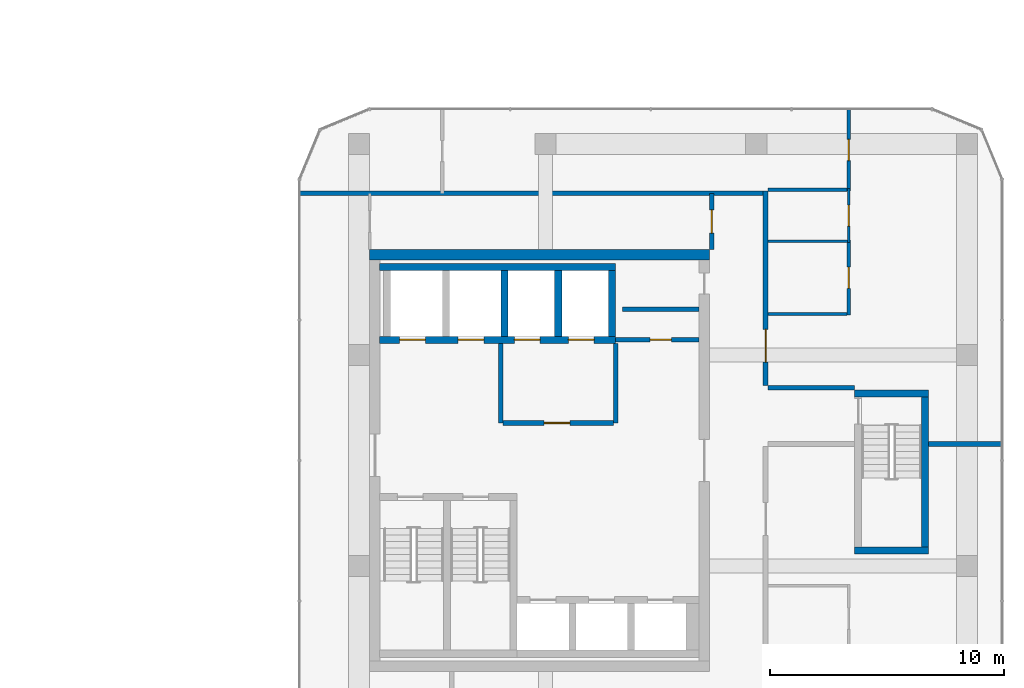
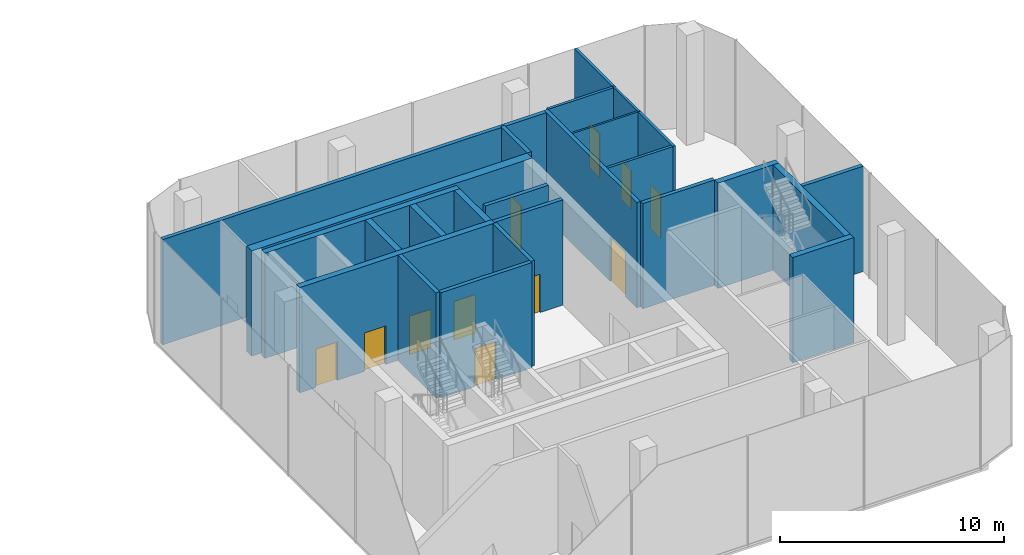
# One storey, part 18 of 24: 25 walls, 11 doors, 11 openings.
"""IFC4 building model written with IfcOpenShell, lengths in metres."""

from ifc_helpers import new_model, si_unit, direction, frame, frame_2d, origin, place, context, subcontext, project, spatial, rectangle, extrude, material, layer, layer_set, type_object, element, fill, save


model = new_model("IFC4")

# Units and contexts
model_context = context("Model", 3, precision=1e-05, world=origin(), true_north=direction((0.0, 1.0)))
body_context = subcontext(model_context, "Body", "Model", "MODEL_VIEW")
ifc_project = project(units=[si_unit("LENGTHUNIT", "METRE"), si_unit("AREAUNIT", "SQUARE_METRE"), si_unit("VOLUMEUNIT", "CUBIC_METRE"), si_unit("PLANEANGLEUNIT", "RADIAN"), si_unit("MASSUNIT", "GRAM", prefix="KILO")], contexts=[model_context])

# Site, building, storey
site_placement = place(None, origin())
site = spatial("IfcSite", under=ifc_project, at=site_placement, CompositionType="ELEMENT")
building_placement = place(site_placement, origin())
building = spatial("IfcBuilding", under=site, at=building_placement, Name="Plateau Cross Towers", CompositionType="ELEMENT")
storey_placement = place(building_placement, frame((0.0, 0.0, 72.300048828125)))
storey = spatial("IfcBuildingStorey", under=building, at=storey_placement, Name="L18", CompositionType="ELEMENT", Elevation=72.300048828125)

# Wall
ifc_material_1 = material(Name="Concrete block, plastered both sides", Category="concrete")
ifc_layer_1 = layer(ifc_material_1, 0.199951171875)
ifc_layer_set_1 = layer_set([ifc_layer_1], Name="Concrete block, plastered both sides")
wall_type_1 = type_object("IfcWallType", Name="Core partition 200", PredefinedType="PARTITIONING", material=ifc_layer_set_1)
wall_1_placement = place(storey_placement, frame((80.60009765625, 10.60009765625, 0.0), z_axis=(0.0, 0.0, 1.0), x_axis=(0.0, 1.0, 0.0)))
element("IfcWall", 1, at=wall_1_placement, inside=storey, type_object=wall_type_1, Name="Core partition", PredefinedType="PARTITIONING", context=body_context, shape_type="SweptSolid", body=[
    extrude(rectangle(XDim=3.39990234375, YDim=0.199951171875, at=frame_2d((1.699951171875, 0.0))), origin(), (0.0, 0.0, 1.0), 5.75),
])

# Wall, opening, door
wall_2_placement = place(storey_placement, frame((80.699951171875, 10.60009765625, 0.0), z_axis=(0.0, 0.0, 1.0), x_axis=(1.0, 0.0, 0.0)))
wall_2 = element("IfcWall", 2, at=wall_2_placement, inside=storey, type_object=wall_type_1, Name="Core partition", PredefinedType="PARTITIONING", context=body_context, shape_type="SweptSolid", body=[
    extrude(rectangle(XDim=4.699951171875, YDim=0.199951171875, at=frame_2d((2.35009765625, 0.0))), origin(), (0.0, 0.0, 1.0), 5.75),
])
opening_1_placement = place(wall_2_placement, frame((1.75, 0.0, 0.0)))
opening_1 = element("IfcOpeningElement", 3, at=opening_1_placement, cuts=wall_2, Name="Opening FFD", PredefinedType="OPENING", context=body_context, shape_type="SweptSolid", body=[
    extrude(rectangle(XDim=1.10009765625, YDim=2.10009765625, at=frame_2d((0.550048828125, 1.050048828125))), frame((0.0, 0.10986328125, 0.0), z_axis=(0.0, -1.0, 0.0), x_axis=(1.0, 0.0, 0.0)), (0.0, 0.0, 1.0), 0.219970703125),
])
ifc_material_2 = material(Name="Steel, fire-resisting leaf", Category="steel")
door_type_1 = type_object("IfcDoorType", Name="Firefighting lobby door 1100", OperationType="NOTDEFINED", PredefinedType="DOOR", material=ifc_material_2)
door_1_placement = place(opening_1_placement, origin())
door_1 = element("IfcDoor", 4, at=door_1_placement, inside=storey, type_object=door_type_1, Name="Firefighting lobby door FFD", OperationType="SINGLE_SWING_LEFT", OverallHeight=2.10009765625, OverallWidth=1.10009765625, PredefinedType="DOOR", context=body_context, shape_type="SweptSolid", body=[
    extrude(rectangle(XDim=1.10009765625, YDim=2.10009765625, at=frame_2d((0.550048828125, 1.050048828125))), frame((0.0, 0.02490234375, 0.0), z_axis=(0.0, -1.0, 0.0), x_axis=(1.0, 0.0, 0.0)), (0.0, 0.0, 1.0), 0.050048828125),
])
fill(opening_1, door_1)

# Wall
wall_3_placement = place(storey_placement, frame((85.5, 10.60009765625, 0.0), z_axis=(0.0, 0.0, 1.0), x_axis=(0.0, 1.0, 0.0)))
element("IfcWall", 5, at=wall_3_placement, inside=storey, type_object=wall_type_1, Name="Core partition", PredefinedType="PARTITIONING", context=body_context, shape_type="SweptSolid", body=[
    extrude(rectangle(XDim=3.39990234375, YDim=0.199951171875, at=frame_2d((1.699951171875, 0.0))), origin(), (0.0, 0.0, 1.0), 5.75),
])

# Wall, opening, door
wall_4_placement = place(storey_placement, frame((85.5, 14.14990234375, 0.0), z_axis=(0.0, 0.0, 1.0), x_axis=(1.0, 0.0, 0.0)))
wall_4 = element("IfcWall", 6, at=wall_4_placement, inside=storey, type_object=wall_type_1, Name="Core partition", PredefinedType="PARTITIONING", context=body_context, shape_type="SweptSolid", body=[
    extrude(rectangle(XDim=3.550048828125, YDim=0.199951171875, at=frame_2d((1.77490234375, 0.0))), origin(), (0.0, 0.0, 1.0), 5.75),
])
opening_2_placement = place(wall_4_placement, frame((1.47509765625, 0.0, 0.0)))
opening_2 = element("IfcOpeningElement", 7, at=opening_2_placement, cuts=wall_4, Name="Opening RD2", PredefinedType="OPENING", context=body_context, shape_type="SweptSolid", body=[
    extrude(rectangle(XDim=0.89990234375, YDim=2.10009765625, at=frame_2d((0.449951171875, 1.050048828125))), frame((0.0, 0.10986328125, 0.0), z_axis=(0.0, -1.0, 0.0), x_axis=(1.0, 0.0, 0.0)), (0.0, 0.0, 1.0), 0.219970703125),
])
door_type_2 = type_object("IfcDoorType", Name="Core riser door 900", OperationType="NOTDEFINED", PredefinedType="DOOR", material=ifc_material_2)
door_2_placement = place(opening_2_placement, origin())
door_2 = element("IfcDoor", 8, at=door_2_placement, inside=storey, type_object=door_type_2, Name="Core riser door RD2", OperationType="SINGLE_SWING_LEFT", OverallHeight=2.10009765625, OverallWidth=0.89990234375, PredefinedType="DOOR", context=body_context, shape_type="SweptSolid", body=[
    extrude(rectangle(XDim=0.89990234375, YDim=2.10009765625, at=frame_2d((0.449951171875, 1.050048828125))), frame((0.0, 0.02490234375, 0.0), z_axis=(0.0, -1.0, 0.0), x_axis=(1.0, 0.0, 0.0)), (0.0, 0.0, 1.0), 0.050048828125),
])
fill(opening_2, door_2)

# Walls
wall_5_placement = place(storey_placement, frame((85.800048828125, 15.449951171875, 0.0), z_axis=(0.0, 0.0, 1.0), x_axis=(1.0, 0.0, 0.0)))
element("IfcWall", 9, at=wall_5_placement, inside=storey, type_object=wall_type_1, Name="Core partition", PredefinedType="PARTITIONING", context=body_context, shape_type="SweptSolid", body=[
    extrude(rectangle(XDim=3.25, YDim=0.199951171875, at=frame_2d((1.625, 0.0))), origin(), (0.0, 0.0, 1.0), 5.75),
])
ifc_material_3 = material(Name="Concrete C60/75", Category="concrete")
ifc_layer_2 = layer(ifc_material_3, 0.300048828125)
ifc_layer_set_2 = layer_set([ifc_layer_2], Name="Concrete C60/75")
wall_type_2 = type_object("IfcWallType", Name="Core shaft wall 300", PredefinedType="SHEAR", material=ifc_layer_set_2)
wall_6_placement = place(storey_placement, frame((75.429931640625, 17.25, 0.0), z_axis=(0.0, 0.0, 1.0), x_axis=(1.0, 0.0, 0.0)))
element("IfcWall", 10, at=wall_6_placement, inside=storey, type_object=wall_type_2, Name="B-nb-back@L18", PredefinedType="SHEAR", context=body_context, shape_type="SweptSolid", body=[
    extrude(rectangle(XDim=10.070068359375, YDim=0.300048828125, at=frame_2d((5.03515625, 0.0))), origin(), (0.0, 0.0, 1.0), 5.75),
])

# Wall, openings, doors
wall_7_placement = place(storey_placement, frame((75.429931640625, 14.14990234375, 0.0), z_axis=(0.0, 0.0, 1.0), x_axis=(1.0, 0.0, 0.0)))
wall_7 = element("IfcWall", 11, at=wall_7_placement, inside=storey, type_object=wall_type_2, Name="B-nb-front@L18", PredefinedType="SHEAR", context=body_context, shape_type="SweptSolid", body=[
    extrude(rectangle(XDim=10.070068359375, YDim=0.300048828125, at=frame_2d((5.03515625, 0.0))), origin(), (0.0, 0.0, 1.0), 5.75),
])
opening_3_placement = place(wall_7_placement, frame((0.85009765625, 0.0, 0.0)))
opening_3 = element("IfcOpeningElement", 12, at=opening_3_placement, cuts=wall_7, Name="Opening LD", PredefinedType="OPENING", context=body_context, shape_type="SweptSolid", body=[
    extrude(rectangle(XDim=1.10009765625, YDim=2.10009765625, at=frame_2d((0.550048828125, 1.050048828125))), frame((0.0, 0.159912109375, 0.0), z_axis=(0.0, -1.0, 0.0), x_axis=(1.0, 0.0, 0.0)), (0.0, 0.0, 1.0), 0.320068359375),
])
opening_4_placement = place(wall_7_placement, frame((3.35009765625, 0.0, 0.0)))
opening_4 = element("IfcOpeningElement", 13, at=opening_4_placement, cuts=wall_7, Name="Opening LD", PredefinedType="OPENING", context=body_context, shape_type="SweptSolid", body=[
    extrude(rectangle(XDim=1.10009765625, YDim=2.10009765625, at=frame_2d((0.550048828125, 1.050048828125))), frame((0.0, 0.159912109375, 0.0), z_axis=(0.0, -1.0, 0.0), x_axis=(1.0, 0.0, 0.0)), (0.0, 0.0, 1.0), 0.320068359375),
])
opening_5_placement = place(wall_7_placement, frame((5.75, 0.0, 0.0)))
opening_5 = element("IfcOpeningElement", 14, at=opening_5_placement, cuts=wall_7, Name="Opening LD", PredefinedType="OPENING", context=body_context, shape_type="SweptSolid", body=[
    extrude(rectangle(XDim=1.10009765625, YDim=2.10009765625, at=frame_2d((0.550048828125, 1.050048828125))), frame((0.0, 0.159912109375, 0.0), z_axis=(0.0, -1.0, 0.0), x_axis=(1.0, 0.0, 0.0)), (0.0, 0.0, 1.0), 0.320068359375),
])
opening_6_placement = place(wall_7_placement, frame((8.050048828125, 0.0, 0.0)))
opening_6 = element("IfcOpeningElement", 15, at=opening_6_placement, cuts=wall_7, Name="Opening LD", PredefinedType="OPENING", context=body_context, shape_type="SweptSolid", body=[
    extrude(rectangle(XDim=1.10009765625, YDim=2.10009765625, at=frame_2d((0.550048828125, 1.050048828125))), frame((0.0, 0.159912109375, 0.0), z_axis=(0.0, -1.0, 0.0), x_axis=(1.0, 0.0, 0.0)), (0.0, 0.0, 1.0), 0.320068359375),
])
ifc_material_4 = material(Name="Stainless steel, fire-resisting sliding leaves", Category="steel")
door_type_3 = type_object("IfcDoorType", Name="Lift landing door 1100", OperationType="NOTDEFINED", PredefinedType="DOOR", material=ifc_material_4)
door_3_placement = place(opening_3_placement, origin())
door_3 = element("IfcDoor", 16, at=door_3_placement, inside=storey, type_object=door_type_3, Name="Lift landing door LD", OperationType="DOUBLE_DOOR_SLIDING", OverallHeight=2.10009765625, OverallWidth=1.10009765625, PredefinedType="DOOR", context=body_context, shape_type="SweptSolid", body=[
    extrude(rectangle(XDim=1.10009765625, YDim=2.10009765625, at=frame_2d((0.550048828125, 1.050048828125))), frame((0.0, 0.02490234375, 0.0), z_axis=(0.0, -1.0, 0.0), x_axis=(1.0, 0.0, 0.0)), (0.0, 0.0, 1.0), 0.050048828125),
])
fill(opening_3, door_3)
door_4_placement = place(opening_4_placement, origin())
door_4 = element("IfcDoor", 17, at=door_4_placement, inside=storey, type_object=door_type_3, Name="Lift landing door LD", OperationType="DOUBLE_DOOR_SLIDING", OverallHeight=2.10009765625, OverallWidth=1.10009765625, PredefinedType="DOOR", context=body_context, shape_type="SweptSolid", body=[
    extrude(rectangle(XDim=1.10009765625, YDim=2.10009765625, at=frame_2d((0.550048828125, 1.050048828125))), frame((0.0, 0.02490234375, 0.0), z_axis=(0.0, -1.0, 0.0), x_axis=(1.0, 0.0, 0.0)), (0.0, 0.0, 1.0), 0.050048828125),
])
fill(opening_4, door_4)
door_5_placement = place(opening_5_placement, origin())
door_5 = element("IfcDoor", 18, at=door_5_placement, inside=storey, type_object=door_type_3, Name="Lift landing door LD", OperationType="DOUBLE_DOOR_SLIDING", OverallHeight=2.10009765625, OverallWidth=1.10009765625, PredefinedType="DOOR", context=body_context, shape_type="SweptSolid", body=[
    extrude(rectangle(XDim=1.10009765625, YDim=2.10009765625, at=frame_2d((0.550048828125, 1.050048828125))), frame((0.0, 0.02490234375, 0.0), z_axis=(0.0, -1.0, 0.0), x_axis=(1.0, 0.0, 0.0)), (0.0, 0.0, 1.0), 0.050048828125),
])
fill(opening_5, door_5)
door_6_placement = place(opening_6_placement, origin())
door_6 = element("IfcDoor", 19, at=door_6_placement, inside=storey, type_object=door_type_3, Name="Lift landing door LD", OperationType="DOUBLE_DOOR_SLIDING", OverallHeight=2.10009765625, OverallWidth=1.10009765625, PredefinedType="DOOR", context=body_context, shape_type="SweptSolid", body=[
    extrude(rectangle(XDim=1.10009765625, YDim=2.10009765625, at=frame_2d((0.550048828125, 1.050048828125))), frame((0.0, 0.02490234375, 0.0), z_axis=(0.0, -1.0, 0.0), x_axis=(1.0, 0.0, 0.0)), (0.0, 0.0, 1.0), 0.050048828125),
])
fill(opening_6, door_6)

# Walls
for number, where, z_axis, x_axis, name in (
    (20, (80.75, 14.300048828125, 0.0), (0.0, 0.0, 1.0), (0.0, 1.0, 0.0), "B-nb-v2@L18"),
    (21, (83.050048828125, 14.300048828125, 0.0), (0.0, 0.0, 1.0), (0.0, 1.0, 0.0), "B-nb-v3@L18"),
    (22, (85.35009765625, 14.300048828125, 0.0), (0.0, 0.0, 1.0), (0.0, 1.0, 0.0), "B-nb-v4@L18"),
):
    element("IfcWall", number, at=place(storey_placement, frame(where, z_axis=z_axis, x_axis=x_axis)), inside=storey, type_object=wall_type_2, Name=name, PredefinedType="SHEAR", context=body_context, shape_type="SweptSolid", body=[
        extrude(rectangle(XDim=2.800048828125, YDim=0.300048828125, at=frame_2d((1.39990234375, 0.0))), origin(), (0.0, 0.0, 1.0), 5.75),
    ])
wall_8_placement = place(storey_placement, frame((98.699951171875, 5.300048828125, 0.0), z_axis=(0.0, 0.0, 1.0), x_axis=(0.0, 1.0, 0.0)))
element("IfcWall", 23, at=wall_8_placement, inside=storey, type_object=wall_type_2, Name="B-sb3-E@L18", PredefinedType="SHEAR", context=body_context, shape_type="SweptSolid", body=[
    extrude(rectangle(XDim=6.39990234375, YDim=0.300048828125, at=frame_2d((3.199951171875, 0.0))), origin(), (0.0, 0.0, 1.0), 5.75),
])
for number, where, z_axis, x_axis, name in (
    (24, (95.699951171875, 5.14990234375, 0.0), (0.0, 0.0, 1.0), (1.0, 0.0, 0.0), "B-sb3-S@L18"),
    (25, (95.699951171875, 11.85009765625, 0.0), (0.0, 0.0, 1.0), (1.0, 0.0, 0.0), "B-sb3-N@L18"),
):
    element("IfcWall", number, at=place(storey_placement, frame(where, z_axis=z_axis, x_axis=x_axis)), inside=storey, type_object=wall_type_2, Name=name, PredefinedType="SHEAR", context=body_context, shape_type="SweptSolid", body=[
        extrude(rectangle(XDim=3.150146484375, YDim=0.300048828125, at=frame_2d((1.5751953125, 0.0))), origin(), (0.0, 0.0, 1.0), 5.75),
    ])
ifc_layer_3 = layer(ifc_material_3, 0.449951171875)
ifc_layer_set_3 = layer_set([ifc_layer_3], Name="Concrete C60/75")
wall_type_3 = type_object("IfcWallType", Name="Core shell wall 450", PredefinedType="SHEAR", material=ifc_layer_set_3)
wall_9_placement = place(storey_placement, frame((75.0, 17.77490234375, 0.0), z_axis=(0.0, 0.0, 1.0), x_axis=(1.0, 0.0, 0.0)))
element("IfcWall", 26, at=wall_9_placement, inside=storey, type_object=wall_type_3, Name="B-core-N@L18", PredefinedType="SHEAR", context=body_context, shape_type="SweptSolid", body=[
    extrude(rectangle(XDim=14.5, YDim=0.449951171875, at=frame_2d((7.25, 0.0))), origin(), (0.0, 0.0, 1.0), 5.75),
])
ifc_material_5 = material(Name="Gypsum board on steel studs, two layers each side", Category="steel")
ifc_layer_4 = layer(ifc_material_5, 0.199951171875)
ifc_layer_set_4 = layer_set([ifc_layer_4], Name="Gypsum board on steel studs, two layers each side")
wall_type_4 = type_object("IfcWallType", Name="Corridor wall 200", PredefinedType="PARTITIONING", material=ifc_layer_set_4)
wall_10_placement = place(storey_placement, frame((72.0, 20.39990234375, 0.0), z_axis=(0.0, 0.0, 1.0), x_axis=(1.0, 0.0, 0.0)))
element("IfcWall", 27, at=wall_10_placement, inside=storey, type_object=wall_type_4, Name="Ring wall", PredefinedType="PARTITIONING", context=body_context, shape_type="SweptSolid", body=[
    extrude(rectangle(XDim=20.0, YDim=0.199951171875, at=frame_2d((10.0, 0.0))), origin(), (0.0, 0.0, 1.0), 5.75),
])

# Wall, opening, door
wall_11_placement = place(storey_placement, frame((91.89990234375, 12.199951171875, 0.0), z_axis=(0.0, 0.0, 1.0), x_axis=(0.0, 1.0, 0.0)))
wall_11 = element("IfcWall", 28, at=wall_11_placement, inside=storey, type_object=wall_type_4, Name="Ring wall", PredefinedType="PARTITIONING", context=body_context, shape_type="SweptSolid", body=[
    extrude(rectangle(XDim=8.300048828125, YDim=0.199951171875, at=frame_2d((4.14990234375, 0.0))), origin(), (0.0, 0.0, 1.0), 5.75),
])
opening_7_placement = place(wall_11_placement, frame((1.0, 0.0, 0.0)))
opening_7 = element("IfcOpeningElement", 29, at=opening_7_placement, cuts=wall_11, Name="Opening D-BE14", PredefinedType="OPENING", context=body_context, shape_type="SweptSolid", body=[
    extrude(rectangle(XDim=1.39990234375, YDim=2.39990234375, at=frame_2d((0.699951171875, 1.199951171875))), frame((0.0, 0.10986328125, 0.0), z_axis=(0.0, -1.0, 0.0), x_axis=(1.0, 0.0, 0.0)), (0.0, 0.0, 1.0), 0.219970703125),
])
ifc_material_6 = material(Name="Timber, fire-resisting leaves", Category="wood")
door_type_4 = type_object("IfcDoorType", Name="Tenant entrance double-leaf 1400x2400", OperationType="NOTDEFINED", PredefinedType="DOOR", material=ifc_material_6)
door_7_placement = place(opening_7_placement, origin())
door_7 = element("IfcDoor", 30, at=door_7_placement, inside=storey, type_object=door_type_4, Name="Door D-BE14", OperationType="DOUBLE_DOOR_SINGLE_SWING", OverallHeight=2.39990234375, OverallWidth=1.39990234375, PredefinedType="DOOR", context=body_context, shape_type="SweptSolid", body=[
    extrude(rectangle(XDim=1.39990234375, YDim=2.39990234375, at=frame_2d((0.699951171875, 1.199951171875))), frame((0.0, 0.02490234375, 0.0), z_axis=(0.0, -1.0, 0.0), x_axis=(1.0, 0.0, 0.0)), (0.0, 0.0, 1.0), 0.050048828125),
])
fill(opening_7, door_7)

# Wall
wall_12_placement = place(storey_placement, frame((92.0, 12.10009765625, 0.0), z_axis=(0.0, 0.0, 1.0), x_axis=(1.0, 0.0, 0.0)))
element("IfcWall", 31, at=wall_12_placement, inside=storey, type_object=wall_type_4, Name="Ring wall", PredefinedType="PARTITIONING", context=body_context, shape_type="SweptSolid", body=[
    extrude(rectangle(XDim=3.699951171875, YDim=0.199951171875, at=frame_2d((1.85009765625, 0.0))), origin(), (0.0, 0.0, 1.0), 5.75),
])

# Wall, opening, door
wall_13_placement = place(storey_placement, frame((89.60009765625, 18.0, 0.0), z_axis=(0.0, 0.0, 1.0), x_axis=(0.0, 1.0, 0.0)))
wall_13 = element("IfcWall", 32, at=wall_13_placement, inside=storey, type_object=wall_type_4, Name="Ring wall", PredefinedType="PARTITIONING", context=body_context, shape_type="SweptSolid", body=[
    extrude(rectangle(XDim=2.39990234375, YDim=0.199951171875, at=frame_2d((1.199951171875, 0.0))), origin(), (0.0, 0.0, 1.0), 5.75),
])
opening_8_placement = place(wall_13_placement, frame((0.699951171875, 0.0, 0.0)))
opening_8 = element("IfcOpeningElement", 33, at=opening_8_placement, cuts=wall_13, Name="Opening D-BO10", PredefinedType="OPENING", context=body_context, shape_type="SweptSolid", body=[
    extrude(rectangle(XDim=1.0, YDim=2.39990234375, at=frame_2d((0.5, 1.199951171875))), frame((0.0, 0.10986328125, 0.0), z_axis=(0.0, -1.0, 0.0), x_axis=(1.0, 0.0, 0.0)), (0.0, 0.0, 1.0), 0.219970703125),
])
ifc_material_7 = material(Name="Fire-resisting glazed leaf in a steel frame", Category="steel")
door_type_5 = type_object("IfcDoorType", Name="Office glazed entrance leaf 1000x2400", OperationType="NOTDEFINED", PredefinedType="DOOR", material=ifc_material_7)
door_8_placement = place(opening_8_placement, origin())
door_8 = element("IfcDoor", 34, at=door_8_placement, inside=storey, type_object=door_type_5, Name="Door D-BO10", OperationType="SINGLE_SWING_LEFT", OverallHeight=2.39990234375, OverallWidth=1.0, PredefinedType="DOOR", context=body_context, shape_type="SweptSolid", body=[
    extrude(rectangle(XDim=1.0, YDim=2.39990234375, at=frame_2d((0.5, 1.199951171875))), frame((0.0, 0.02490234375, 0.0), z_axis=(0.0, -1.0, 0.0), x_axis=(1.0, 0.0, 0.0)), (0.0, 0.0, 1.0), 0.050048828125),
])
fill(opening_8, door_8)

ifc_material_8 = material(Name="Gypsum board on staggered steel studs, mineral wool, two layers each side", Category="steel")
ifc_layer_5 = layer(ifc_material_8, 0.139892578125)
ifc_layer_set_5 = layer_set([ifc_layer_5], Name="Gypsum board on staggered steel studs, mineral wool, two layers each side")
wall_type_5 = type_object("IfcWallType", Name="Meeting room acoustic partition 140", PredefinedType="PARTITIONING", material=ifc_layer_set_5)
wall_14_placement = place(storey_placement, frame((95.449951171875, 20.5, 0.0), z_axis=(0.0, 0.0, 1.0), x_axis=(0.0, 1.0, 0.0)))
wall_14 = element("IfcWall", 35, at=wall_14_placement, inside=storey, type_object=wall_type_5, Name="Acoustic wall", PredefinedType="PARTITIONING", context=body_context, shape_type="SweptSolid", body=[
    extrude(rectangle(XDim=3.5, YDim=0.139892578125, at=frame_2d((1.75, 0.0))), origin(), (0.0, 0.0, 1.0), 5.75),
])
opening_9_placement = place(wall_14_placement, frame((1.300048828125, 0.0, 0.0)))
opening_9 = element("IfcOpeningElement", 36, at=opening_9_placement, cuts=wall_14, Name="Opening D-BM9", PredefinedType="OPENING", context=body_context, shape_type="SweptSolid", body=[
    extrude(rectangle(XDim=0.89990234375, YDim=2.39990234375, at=frame_2d((0.449951171875, 1.199951171875))), frame((0.0, 0.079833984375, 0.0), z_axis=(0.0, -1.0, 0.0), x_axis=(1.0, 0.0, 0.0)), (0.0, 0.0, 1.0), 0.159912109375),
])
ifc_material_9 = material(Name="Timber leaf, full height", Category="wood")
door_type_6 = type_object("IfcDoorType", Name="Meeting room door 900x2400", OperationType="NOTDEFINED", PredefinedType="DOOR", material=ifc_material_9)
door_9_placement = place(opening_9_placement, origin())
door_9 = element("IfcDoor", 37, at=door_9_placement, inside=storey, type_object=door_type_6, Name="Door D-BM9", OperationType="SINGLE_SWING_LEFT", OverallHeight=2.39990234375, OverallWidth=0.89990234375, PredefinedType="DOOR", context=body_context, shape_type="SweptSolid", body=[
    extrude(rectangle(XDim=0.89990234375, YDim=2.39990234375, at=frame_2d((0.449951171875, 1.199951171875))), frame((0.0, 0.02490234375, 0.0), z_axis=(0.0, -1.0, 0.0), x_axis=(1.0, 0.0, 0.0)), (0.0, 0.0, 1.0), 0.050048828125),
])
fill(opening_9, door_9)

# Wall
wall_15_placement = place(storey_placement, frame((92.0, 20.550048828125, 0.0), z_axis=(0.0, 0.0, 1.0), x_axis=(1.0, 0.0, 0.0)))
element("IfcWall", 38, at=wall_15_placement, inside=storey, type_object=wall_type_5, Name="Acoustic wall", PredefinedType="PARTITIONING", context=body_context, shape_type="SweptSolid", body=[
    extrude(rectangle(XDim=3.3798828125, YDim=0.139892578125, at=frame_2d((1.68994140625, 0.0))), origin(), (0.0, 0.0, 1.0), 5.75),
])

# Wall, opening, door
wall_16_placement = place(storey_placement, frame((95.449951171875, 15.199951171875, 0.0), z_axis=(0.0, 0.0, 1.0), x_axis=(0.0, 1.0, 0.0)))
wall_16 = element("IfcWall", 39, at=wall_16_placement, inside=storey, type_object=wall_type_5, Name="Acoustic wall", PredefinedType="PARTITIONING", context=body_context, shape_type="SweptSolid", body=[
    extrude(rectangle(XDim=3.199951171875, YDim=0.139892578125, at=frame_2d((1.60009765625, 0.0))), origin(), (0.0, 0.0, 1.0), 5.75),
])
opening_10_placement = place(wall_16_placement, frame((1.14990234375, 0.0, 0.0)))
opening_10 = element("IfcOpeningElement", 40, at=opening_10_placement, cuts=wall_16, Name="Opening D-BM9", PredefinedType="OPENING", context=body_context, shape_type="SweptSolid", body=[
    extrude(rectangle(XDim=0.89990234375, YDim=2.39990234375, at=frame_2d((0.449951171875, 1.199951171875))), frame((0.0, 0.079833984375, 0.0), z_axis=(0.0, -1.0, 0.0), x_axis=(1.0, 0.0, 0.0)), (0.0, 0.0, 1.0), 0.159912109375),
])
door_10_placement = place(opening_10_placement, origin())
door_10 = element("IfcDoor", 41, at=door_10_placement, inside=storey, type_object=door_type_6, Name="Door D-BM9", OperationType="SINGLE_SWING_LEFT", OverallHeight=2.39990234375, OverallWidth=0.89990234375, PredefinedType="DOOR", context=body_context, shape_type="SweptSolid", body=[
    extrude(rectangle(XDim=0.89990234375, YDim=2.39990234375, at=frame_2d((0.449951171875, 1.199951171875))), frame((0.0, 0.02490234375, 0.0), z_axis=(0.0, -1.0, 0.0), x_axis=(1.0, 0.0, 0.0)), (0.0, 0.0, 1.0), 0.050048828125),
])
fill(opening_10, door_10)

# Wall
wall_17_placement = place(storey_placement, frame((92.0, 15.25, 0.0), z_axis=(0.0, 0.0, 1.0), x_axis=(1.0, 0.0, 0.0)))
element("IfcWall", 42, at=wall_17_placement, inside=storey, type_object=wall_type_5, Name="Acoustic wall", PredefinedType="PARTITIONING", context=body_context, shape_type="SweptSolid", body=[
    extrude(rectangle(XDim=3.3798828125, YDim=0.139892578125, at=frame_2d((1.68994140625, 0.0))), origin(), (0.0, 0.0, 1.0), 5.75),
])

# Wall, opening, door
ifc_material_10 = material(Name="Gypsum board on steel studs", Category="steel")
ifc_layer_6 = layer(ifc_material_10, 0.10009765625)
ifc_layer_set_6 = layer_set([ifc_layer_6], Name="Gypsum board on steel studs")
wall_type_6 = type_object("IfcWallType", Name="Office partition 100", PredefinedType="PARTITIONING", material=ifc_layer_set_6)
wall_18_placement = place(storey_placement, frame((95.449951171875, 18.300048828125, 0.0), z_axis=(0.0, 0.0, 1.0), x_axis=(0.0, 1.0, 0.0)))
wall_18 = element("IfcWall", 43, at=wall_18_placement, inside=storey, type_object=wall_type_6, Name="Part wall", PredefinedType="PARTITIONING", context=body_context, shape_type="SweptSolid", body=[
    extrude(rectangle(XDim=2.300048828125, YDim=0.10009765625, at=frame_2d((1.14990234375, 0.0))), origin(), (0.0, 0.0, 1.0), 5.75),
])
opening_11_placement = place(wall_18_placement, frame((0.699951171875, 0.0, 0.0)))
opening_11 = element("IfcOpeningElement", 44, at=opening_11_placement, cuts=wall_18, Name="Opening D-BR9", PredefinedType="OPENING", context=body_context, shape_type="SweptSolid", body=[
    extrude(rectangle(XDim=0.89990234375, YDim=2.10009765625, at=frame_2d((0.449951171875, 1.050048828125))), frame((0.0, 0.06005859375, 0.0), z_axis=(0.0, -1.0, 0.0), x_axis=(1.0, 0.0, 0.0)), (0.0, 0.0, 1.0), 0.1201171875),
])
ifc_material_11 = material(Name="Timber leaf", Category="wood")
door_type_7 = type_object("IfcDoorType", Name="Office room door 900", OperationType="NOTDEFINED", PredefinedType="DOOR", material=ifc_material_11)
door_11_placement = place(opening_11_placement, origin())
door_11 = element("IfcDoor", 45, at=door_11_placement, inside=storey, type_object=door_type_7, Name="Door D-BR9", OperationType="SINGLE_SWING_LEFT", OverallHeight=2.10009765625, OverallWidth=0.89990234375, PredefinedType="DOOR", context=body_context, shape_type="SweptSolid", body=[
    extrude(rectangle(XDim=0.89990234375, YDim=2.10009765625, at=frame_2d((0.449951171875, 1.050048828125))), frame((0.0, 0.02490234375, 0.0), z_axis=(0.0, -1.0, 0.0), x_axis=(1.0, 0.0, 0.0)), (0.0, 0.0, 1.0), 0.050048828125),
])
fill(opening_11, door_11)

# Walls
wall_19_placement = place(storey_placement, frame((92.0, 18.35009765625, 0.0), z_axis=(0.0, 0.0, 1.0), x_axis=(1.0, 0.0, 0.0)))
element("IfcWall", 46, at=wall_19_placement, inside=storey, type_object=wall_type_6, Name="Part wall", PredefinedType="PARTITIONING", context=body_context, shape_type="SweptSolid", body=[
    extrude(rectangle(XDim=3.39990234375, YDim=0.10009765625, at=frame_2d((1.699951171875, 0.0))), origin(), (0.0, 0.0, 1.0), 5.75),
])
ifc_layer_7 = layer(ifc_material_5, 0.199951171875)
ifc_layer_set_7 = layer_set([ifc_layer_7], Name="Gypsum board on steel studs, two layers each side")
wall_type_7 = type_object("IfcWallType", Name="Tenancy demising wall 200", PredefinedType="PARTITIONING", material=ifc_layer_set_7)
wall_20_placement = place(storey_placement, frame((98.85009765625, 9.699951171875, 0.0), z_axis=(0.0, 0.0, 1.0), x_axis=(1.0, 0.0, 0.0)))
element("IfcWall", 47, at=wall_20_placement, inside=storey, type_object=wall_type_7, Name="Demising wall", PredefinedType="PARTITIONING", context=body_context, shape_type="SweptSolid", body=[
    extrude(rectangle(XDim=3.14990234375, YDim=0.199951171875, at=frame_2d((1.574951171875, 0.0))), origin(), (0.0, 0.0, 1.0), 5.75),
])

save(model, "model.ifc")
